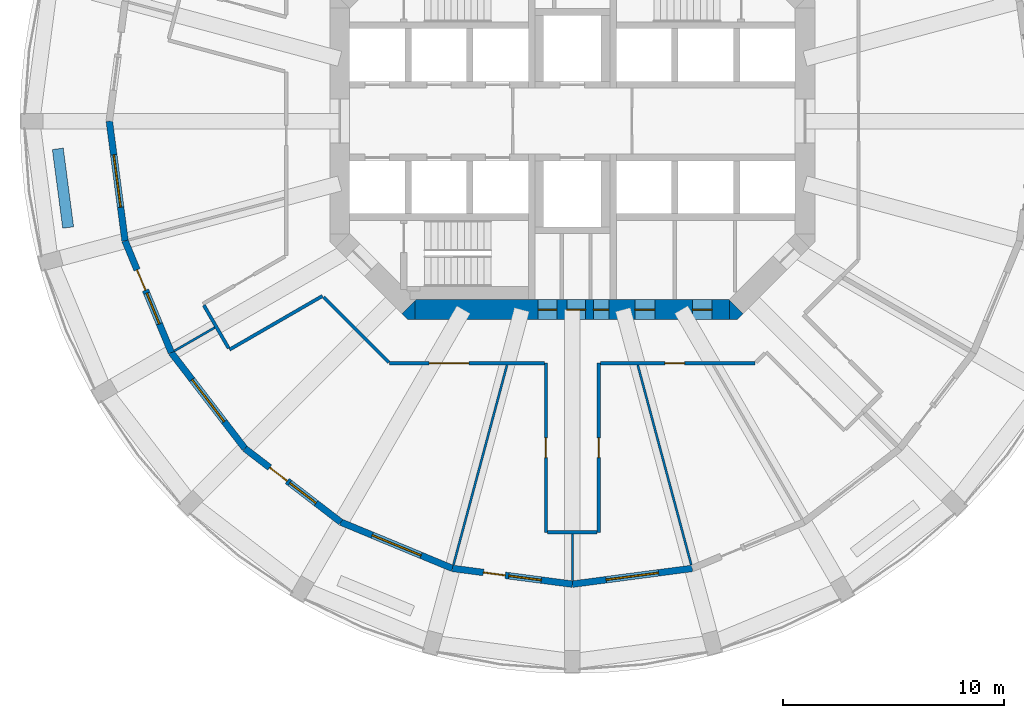
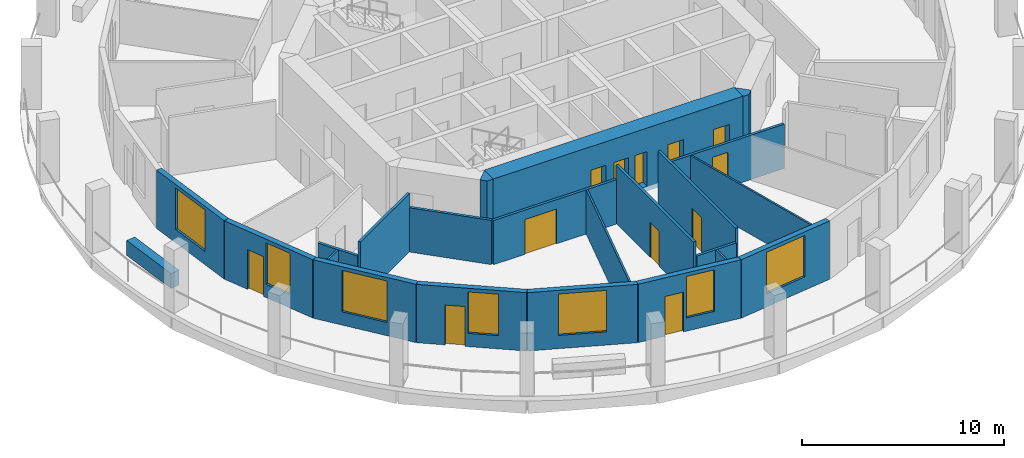
# One storey, part 2 of 8: 23 walls, 12 doors, 7 windows, 19 openings.
"""IFC4 building model written with IfcOpenShell, lengths in metres."""

from ifc_helpers import new_model, si_unit, direction, frame, frame_2d, origin, place, context, subcontext, project, spatial, polyline, rectangle, outline, extrude, material, layer, layer_set, type_object, element, fill, save


model = new_model("IFC4")

# Units and contexts
model_context = context("Model", 3, precision=1e-05, world=origin(), true_north=direction((0.0, 1.0)))
body_context = subcontext(model_context, "Body", "Model", "MODEL_VIEW")
ifc_project = project(units=[si_unit("LENGTHUNIT", "METRE"), si_unit("AREAUNIT", "SQUARE_METRE"), si_unit("VOLUMEUNIT", "CUBIC_METRE"), si_unit("PLANEANGLEUNIT", "RADIAN"), si_unit("MASSUNIT", "GRAM", prefix="KILO")], contexts=[model_context])

# Site, building, storey
site_placement = place(None, origin())
site = spatial("IfcSite", under=ifc_project, at=site_placement, CompositionType="ELEMENT")
building_placement = place(site_placement, origin())
building = spatial("IfcBuilding", under=site, at=building_placement, Name="Torre Triforio", CompositionType="ELEMENT")
storey_placement = place(building_placement, frame((0.0, 0.0, 123.800048828125)))
storey = spatial("IfcBuildingStorey", under=building, at=storey_placement, Name="L27", CompositionType="ELEMENT", Elevation=123.800048828125)

# Wall, openings, doors
ifc_material_1 = material(Name="Concrete C60", Category="concrete")
ifc_layer_1 = layer(ifc_material_1, 0.89990234375)
ifc_layer_set_1 = layer_set([ifc_layer_1], Name="Concrete C60")
wall_type_1 = type_object("IfcWallType", Name="Core wall 900 mm C60 EI 120", PredefinedType="SHEAR", material=ifc_layer_set_1)
wall_1_placement = place(storey_placement, frame((-7.1298828125, -8.550048828125, -0.280029296875), z_axis=(0.0, 0.0, 1.0), x_axis=(1.0, 0.0, 0.0)))
wall_1 = element("IfcWall", 1, at=wall_1_placement, inside=storey, type_object=wall_type_1, Name="Core wall", PredefinedType="SHEAR", context=body_context, shape_type="SweptSolid", body=[
    extrude(rectangle(XDim=14.259765625, YDim=0.89990234375, at=frame_2d((7.1298828125, 0.0))), origin(), (0.0, 0.0, 1.0), 3.800048828125),
])
opening_1_placement = place(wall_1_placement, frame((8.080078125, 0.0, 0.280029296875)))
opening_1 = element("IfcOpeningElement", 2, at=opening_1_placement, cuts=wall_1, Name="Opening RISER-S", PredefinedType="OPENING", context=body_context, shape_type="SweptSolid", body=[
    extrude(rectangle(XDim=0.699951171875, YDim=2.10009765625, at=frame_2d((0.35009765625, 1.050048828125))), frame((0.0, 0.4599609375, 0.0), z_axis=(0.0, -1.0, 0.0), x_axis=(1.0, 0.0, 0.0)), (0.0, 0.0, 1.0), 0.919921875),
])
opening_2_placement = place(wall_1_placement, frame((5.580078125, 0.0, 0.280029296875)))
opening_2 = element("IfcOpeningElement", 3, at=opening_2_placement, cuts=wall_1, Name="Opening SW-01A", PredefinedType="OPENING", context=body_context, shape_type="SweptSolid", body=[
    extrude(rectangle(XDim=0.85009765625, YDim=2.10009765625, at=frame_2d((0.425048828125, 1.050048828125))), frame((0.0, 0.4599609375, 0.0), z_axis=(0.0, -1.0, 0.0), x_axis=(1.0, 0.0, 0.0)), (0.0, 0.0, 1.0), 0.919921875),
])
opening_3_placement = place(wall_1_placement, frame((6.8798828125, 0.0, 0.280029296875)))
opening_3 = element("IfcOpeningElement", 4, at=opening_3_placement, cuts=wall_1, Name="Opening SW-02", PredefinedType="OPENING", context=body_context, shape_type="SweptSolid", body=[
    extrude(rectangle(XDim=0.85009765625, YDim=2.10009765625, at=frame_2d((0.425048828125, 1.050048828125))), frame((0.0, 0.4599609375, 0.0), z_axis=(0.0, -1.0, 0.0), x_axis=(1.0, 0.0, 0.0)), (0.0, 0.0, 1.0), 0.919921875),
])
opening_4_placement = place(wall_1_placement, frame((9.967041015625, 0.0, 0.280029296875)))
opening_4 = element("IfcOpeningElement", 5, at=opening_4_placement, cuts=wall_1, Name="Opening SE-01A", PredefinedType="OPENING", context=body_context, shape_type="SweptSolid", body=[
    extrude(rectangle(XDim=0.89990234375, YDim=2.10009765625, at=frame_2d((0.449951171875, 1.050048828125))), frame((0.0, 0.4599609375, 0.0), z_axis=(0.0, -1.0, 0.0), x_axis=(1.0, 0.0, 0.0)), (0.0, 0.0, 1.0), 0.919921875),
])
opening_5_placement = place(wall_1_placement, frame((12.56689453125, 0.0, 0.280029296875)))
opening_5 = element("IfcOpeningElement", 6, at=opening_5_placement, cuts=wall_1, Name="Opening SE-02", PredefinedType="OPENING", context=body_context, shape_type="SweptSolid", body=[
    extrude(rectangle(XDim=0.89990234375, YDim=2.10009765625, at=frame_2d((0.449951171875, 1.050048828125))), frame((0.0, 0.4599609375, 0.0), z_axis=(0.0, -1.0, 0.0), x_axis=(1.0, 0.0, 0.0)), (0.0, 0.0, 1.0), 0.919921875),
])
ifc_material_2 = material(Name="Hollow metal fire door leaf")
door_type_1 = type_object("IfcDoorType", Name="Riser door 700 x 2100 EI 60", OperationType="NOTDEFINED", PredefinedType="DOOR", material=ifc_material_2)
door_1_placement = place(opening_1_placement, origin())
door_1 = element("IfcDoor", 7, at=door_1_placement, inside=storey, type_object=door_type_1, Name="Core door RISER-S", OperationType="SINGLE_SWING_RIGHT", OverallHeight=2.10009765625, OverallWidth=0.699951171875, PredefinedType="DOOR", context=body_context, shape_type="SweptSolid", body=[
    extrude(rectangle(XDim=0.699951171875, YDim=2.10009765625, at=frame_2d((0.35009765625, 1.050048828125))), frame((0.0, 0.02490234375, 0.0), z_axis=(0.0, -1.0, 0.0), x_axis=(1.0, 0.0, 0.0)), (0.0, 0.0, 1.0), 0.050048828125),
])
fill(opening_1, door_1)
door_type_2 = type_object("IfcDoorType", Name="Room door 850 x 2100 EI 60", OperationType="NOTDEFINED", PredefinedType="DOOR", material=ifc_material_2)
door_2_placement = place(opening_2_placement, origin())
door_2 = element("IfcDoor", 8, at=door_2_placement, inside=storey, type_object=door_type_2, Name="Core door SW-01", OperationType="SINGLE_SWING_RIGHT", OverallHeight=2.10009765625, OverallWidth=0.85009765625, PredefinedType="DOOR", context=body_context, shape_type="SweptSolid", body=[
    extrude(rectangle(XDim=0.85009765625, YDim=2.10009765625, at=frame_2d((0.425048828125, 1.050048828125))), frame((0.0, 0.02490234375, 0.0), z_axis=(0.0, -1.0, 0.0), x_axis=(1.0, 0.0, 0.0)), (0.0, 0.0, 1.0), 0.050048828125),
])
fill(opening_2, door_2)
door_3_placement = place(opening_3_placement, origin())
door_3 = element("IfcDoor", 9, at=door_3_placement, inside=storey, type_object=door_type_2, Name="Core door SW-02", OperationType="SINGLE_SWING_LEFT", OverallHeight=2.10009765625, OverallWidth=0.85009765625, PredefinedType="DOOR", context=body_context, shape_type="SweptSolid", body=[
    extrude(rectangle(XDim=0.85009765625, YDim=2.10009765625, at=frame_2d((0.425048828125, 1.050048828125))), frame((0.0, 0.02490234375, 0.0), z_axis=(0.0, -1.0, 0.0), x_axis=(1.0, 0.0, 0.0)), (0.0, 0.0, 1.0), 0.050048828125),
])
fill(opening_3, door_3)
door_type_3 = type_object("IfcDoorType", Name="Room door 900 x 2100 EI 60", OperationType="NOTDEFINED", PredefinedType="DOOR", material=ifc_material_2)
door_4_placement = place(opening_4_placement, origin())
door_4 = element("IfcDoor", 10, at=door_4_placement, inside=storey, type_object=door_type_3, Name="Core door SE-01", OperationType="SINGLE_SWING_LEFT", OverallHeight=2.10009765625, OverallWidth=0.89990234375, PredefinedType="DOOR", context=body_context, shape_type="SweptSolid", body=[
    extrude(rectangle(XDim=0.89990234375, YDim=2.10009765625, at=frame_2d((0.449951171875, 1.050048828125))), frame((0.0, 0.02490234375, 0.0), z_axis=(0.0, -1.0, 0.0), x_axis=(1.0, 0.0, 0.0)), (0.0, 0.0, 1.0), 0.050048828125),
])
fill(opening_4, door_4)
door_5_placement = place(opening_5_placement, origin())
door_5 = element("IfcDoor", 11, at=door_5_placement, inside=storey, type_object=door_type_3, Name="Core door SE-02", OperationType="SINGLE_SWING_LEFT", OverallHeight=2.10009765625, OverallWidth=0.89990234375, PredefinedType="DOOR", context=body_context, shape_type="SweptSolid", body=[
    extrude(rectangle(XDim=0.89990234375, YDim=2.10009765625, at=frame_2d((0.449951171875, 1.050048828125))), frame((0.0, 0.02490234375, 0.0), z_axis=(0.0, -1.0, 0.0), x_axis=(1.0, 0.0, 0.0)), (0.0, 0.0, 1.0), 0.050048828125),
])
fill(opening_5, door_5)

# Walls
wall_2_placement = place(storey_placement, frame((0.0, 0.0, -0.280029296875)))
element("IfcWall", 12, at=wall_2_placement, inside=storey, type_object=wall_type_1, Name="Core wall", PredefinedType="SHEAR", context=body_context, shape_type="SweptSolid", body=[
    extrude(outline(polyline([(-7.472900390625, -9.0), (-7.736328125, -8.736328125), (-7.1298828125, -8.1298828125), (-7.1298828125, -9.0), (-7.472900390625, -9.0)])), origin(), (0.0, 0.0, 1.0), 3.800048828125),
])
wall_3_placement = place(storey_placement, frame((0.0, 0.0, -0.280029296875)))
element("IfcWall", 13, at=wall_3_placement, inside=storey, type_object=wall_type_1, Name="Core wall", PredefinedType="SHEAR", context=body_context, shape_type="SweptSolid", body=[
    extrude(outline(polyline([(7.472900390625, -9.0), (7.1298828125, -9.0), (7.1298828125, -8.1298828125), (7.736328125, -8.736328125), (7.472900390625, -9.0)])), origin(), (0.0, 0.0, 1.0), 3.800048828125),
])
ifc_material_3 = material(Name="Plasterboard on metal studs")
ifc_layer_2 = layer(ifc_material_3, 0.14990234375)
ifc_layer_set_2 = layer_set([ifc_layer_2], Name="Plasterboard on metal studs")
wall_type_2 = type_object("IfcWallType", Name="Corridor and tenancy wall 150 mm EI 60", PredefinedType="PARTITIONING", material=ifc_layer_set_2)
wall_4_placement = place(storey_placement, frame((-15.587890625, -10.298583984375, 0.0), z_axis=(0.0, 0.0, 1.0), x_axis=(-0.500013631625, 0.866017533419, 0.0)))
element("IfcWall", 14, at=wall_4_placement, inside=storey, type_object=wall_type_2, Name="Partition 1", PredefinedType="PARTITIONING", context=body_context, shape_type="SweptSolid", body=[
    extrude(rectangle(XDim=2.25, YDim=0.14990234375, at=frame_2d((1.125, 0.0))), origin(), (0.0, 0.0, 1.0), 2.669921875),
])

# Wall, opening, door
wall_5_placement = place(storey_placement, frame((8.291015625, -10.97509765625, 0.0), z_axis=(0.0, 0.0, 1.0), x_axis=(-1.0, 0.0, 0.0)))
wall_5 = element("IfcWall", 15, at=wall_5_placement, inside=storey, type_object=wall_type_2, Name="Partition 23", PredefinedType="PARTITIONING", context=body_context, shape_type="SweptSolid", body=[
    extrude(rectangle(XDim=7.01611328125, YDim=0.14990234375, at=frame_2d((3.508056640625, 0.0))), origin(), (0.0, 0.0, 1.0), 2.669921875),
])
opening_6_placement = place(wall_5_placement, frame((3.198486328125, 0.0, 0.0)))
opening_6 = element("IfcOpeningElement", 16, at=opening_6_placement, cuts=wall_5, Name="Opening D1-09", PredefinedType="OPENING", context=body_context, shape_type="SweptSolid", body=[
    extrude(rectangle(XDim=0.89990234375, YDim=2.10009765625, at=frame_2d((0.449951171875, 1.050048828125))), frame((0.0, 0.0849609375, 0.0), z_axis=(0.0, -1.0, 0.0), x_axis=(1.0, 0.0, 0.0)), (0.0, 0.0, 1.0), 0.169921875),
])
ifc_material_4 = material(Name="Timber", Category="wood")
door_type_4 = type_object("IfcDoorType", Name="Door 900 x 2100 single leaf EI 30", OperationType="NOTDEFINED", PredefinedType="DOOR", material=ifc_material_4)
door_6_placement = place(opening_6_placement, origin())
door_6 = element("IfcDoor", 17, at=door_6_placement, inside=storey, type_object=door_type_4, Name="Door D1-09", OperationType="SINGLE_SWING_LEFT", OverallHeight=2.10009765625, OverallWidth=0.89990234375, PredefinedType="DOOR", context=body_context, shape_type="SweptSolid", body=[
    extrude(rectangle(XDim=0.89990234375, YDim=2.10009765625, at=frame_2d((0.449951171875, 1.050048828125))), frame((0.0, 0.02490234375, 0.0), z_axis=(0.0, -1.0, 0.0), x_axis=(1.0, 0.0, 0.0)), (0.0, 0.0, 1.0), 0.050048828125),
])
fill(opening_6, door_6)

wall_6_placement = place(storey_placement, frame((1.199951171875, -10.97509765625, 0.0), z_axis=(0.0, 0.0, 1.0), x_axis=(0.0, -1.0, 0.0)))
wall_6 = element("IfcWall", 18, at=wall_6_placement, inside=storey, type_object=wall_type_2, Name="Partition 24", PredefinedType="PARTITIONING", context=body_context, shape_type="SweptSolid", body=[
    extrude(rectangle(XDim=7.673583984375, YDim=0.14990234375, at=frame_2d((3.8369140625, 0.0))), origin(), (0.0, 0.0, 1.0), 3.52001953125),
])
opening_7_placement = place(wall_6_placement, frame((3.386962890625, 0.0, 0.0)))
opening_7 = element("IfcOpeningElement", 19, at=opening_7_placement, cuts=wall_6, Name="Opening D1-08", PredefinedType="OPENING", context=body_context, shape_type="SweptSolid", body=[
    extrude(rectangle(XDim=0.89990234375, YDim=2.10009765625, at=frame_2d((0.449951171875, 1.050048828125))), frame((0.0, 0.0849609375, 0.0), z_axis=(0.0, -1.0, 0.0), x_axis=(1.0, 0.0, 0.0)), (0.0, 0.0, 1.0), 0.169921875),
])
door_7_placement = place(opening_7_placement, origin())
door_7 = element("IfcDoor", 20, at=door_7_placement, inside=storey, type_object=door_type_4, Name="Door D1-08", OperationType="SINGLE_SWING_RIGHT", OverallHeight=2.10009765625, OverallWidth=0.89990234375, PredefinedType="DOOR", context=body_context, shape_type="SweptSolid", body=[
    extrude(rectangle(XDim=0.89990234375, YDim=2.10009765625, at=frame_2d((0.449951171875, 1.050048828125))), frame((0.0, 0.02490234375, 0.0), z_axis=(0.0, -1.0, 0.0), x_axis=(1.0, 0.0, 0.0)), (0.0, 0.0, 1.0), 0.050048828125),
])
fill(opening_7, door_7)

# Wall
wall_7_placement = place(storey_placement, frame((1.125, -18.648681640625, 0.0), z_axis=(0.0, 0.0, 1.0), x_axis=(-1.0, 0.0, 0.0)))
element("IfcWall", 21, at=wall_7_placement, inside=storey, type_object=wall_type_2, Name="Partition 25", PredefinedType="PARTITIONING", context=body_context, shape_type="SweptSolid", body=[
    extrude(rectangle(XDim=2.25, YDim=0.14990234375, at=frame_2d((1.125, 0.0))), origin(), (0.0, 0.0, 1.0), 2.669921875),
])

# Wall, opening, door
wall_8_placement = place(storey_placement, frame((-1.199951171875, -18.648681640625, 0.0), z_axis=(0.0, 0.0, 1.0), x_axis=(0.0, 1.0, 0.0)))
wall_8 = element("IfcWall", 22, at=wall_8_placement, inside=storey, type_object=wall_type_2, Name="Partition 26", PredefinedType="PARTITIONING", context=body_context, shape_type="SweptSolid", body=[
    extrude(rectangle(XDim=7.673583984375, YDim=0.14990234375, at=frame_2d((3.8369140625, 0.0))), origin(), (0.0, 0.0, 1.0), 3.52001953125),
])
opening_8_placement = place(wall_8_placement, frame((3.386962890625, 0.0, 0.0)))
opening_8 = element("IfcOpeningElement", 23, at=opening_8_placement, cuts=wall_8, Name="Opening D1-07", PredefinedType="OPENING", context=body_context, shape_type="SweptSolid", body=[
    extrude(rectangle(XDim=0.89990234375, YDim=2.10009765625, at=frame_2d((0.449951171875, 1.050048828125))), frame((0.0, 0.0849609375, 0.0), z_axis=(0.0, -1.0, 0.0), x_axis=(1.0, 0.0, 0.0)), (0.0, 0.0, 1.0), 0.169921875),
])
door_8_placement = place(opening_8_placement, origin())
door_8 = element("IfcDoor", 24, at=door_8_placement, inside=storey, type_object=door_type_4, Name="Door D1-07", OperationType="SINGLE_SWING_RIGHT", OverallHeight=2.10009765625, OverallWidth=0.89990234375, PredefinedType="DOOR", context=body_context, shape_type="SweptSolid", body=[
    extrude(rectangle(XDim=0.89990234375, YDim=2.10009765625, at=frame_2d((0.449951171875, 1.050048828125))), frame((0.0, 0.02490234375, 0.0), z_axis=(0.0, -1.0, 0.0), x_axis=(1.0, 0.0, 0.0)), (0.0, 0.0, 1.0), 0.050048828125),
])
fill(opening_8, door_8)

wall_9_placement = place(storey_placement, frame((-1.27490234375, -10.97509765625, 0.0), z_axis=(0.0, 0.0, 1.0), x_axis=(-1.0, 0.0, 0.0)))
wall_9 = element("IfcWall", 25, at=wall_9_placement, inside=storey, type_object=wall_type_2, Name="Partition 27", PredefinedType="PARTITIONING", context=body_context, shape_type="SweptSolid", body=[
    extrude(rectangle(XDim=7.01611328125, YDim=0.14990234375, at=frame_2d((3.508056640625, 0.0))), origin(), (0.0, 0.0, 1.0), 2.669921875),
])
opening_9_placement = place(wall_9_placement, frame((3.415771484375, 0.0, 0.0)))
opening_9 = element("IfcOpeningElement", 26, at=opening_9_placement, cuts=wall_9, Name="Opening D1-06", PredefinedType="OPENING", context=body_context, shape_type="SweptSolid", body=[
    extrude(rectangle(XDim=1.800048828125, YDim=2.10009765625, at=frame_2d((0.89990234375, 1.050048828125))), frame((0.0, 0.0849609375, 0.0), z_axis=(0.0, -1.0, 0.0), x_axis=(1.0, 0.0, 0.0)), (0.0, 0.0, 1.0), 0.169921875),
])
door_type_5 = type_object("IfcDoorType", Name="Door 1800 x 2100 double leaf EI 30", OperationType="DOUBLE_DOOR_SINGLE_SWING", PredefinedType="DOOR", material=ifc_material_4)
door_9_placement = place(opening_9_placement, origin())
door_9 = element("IfcDoor", 27, at=door_9_placement, inside=storey, type_object=door_type_5, Name="Door D1-06", OperationType="DOUBLE_DOOR_SINGLE_SWING", OverallHeight=2.10009765625, OverallWidth=1.800048828125, PredefinedType="DOOR", context=body_context, shape_type="SweptSolid", body=[
    extrude(rectangle(XDim=1.800048828125, YDim=2.10009765625, at=frame_2d((0.89990234375, 1.050048828125))), frame((0.0, 0.02490234375, 0.0), z_axis=(0.0, -1.0, 0.0), x_axis=(1.0, 0.0, 0.0)), (0.0, 0.0, 1.0), 0.050048828125),
])
fill(opening_9, door_9)

# Walls
wall_10_placement = place(storey_placement, frame((-8.327880859375, -10.93798828125, 0.0), z_axis=(0.0, 0.0, 1.0), x_axis=(-0.707077584218, 0.707135976949, 0.0)))
element("IfcWall", 28, at=wall_10_placement, inside=storey, type_object=wall_type_2, Name="Partition 28", PredefinedType="PARTITIONING", context=body_context, shape_type="SweptSolid", body=[
    extrude(rectangle(XDim=4.180908203125, YDim=0.14990234375, at=frame_2d((2.09033203125, 0.0))), origin(), (0.0, 0.0, 1.0), 2.669921875),
])
wall_11_placement = place(storey_placement, frame((-11.335693359375, -7.930419921875, 0.0), z_axis=(0.0, 0.0, 1.0), x_axis=(-0.866042731792, -0.49996998581, 0.0)))
element("IfcWall", 29, at=wall_11_placement, inside=storey, type_object=wall_type_2, Name="Partition 29", PredefinedType="PARTITIONING", context=body_context, shape_type="SweptSolid", body=[
    extrude(rectangle(XDim=4.866455078125, YDim=0.14990234375, at=frame_2d((2.43310546875, 0.0))), origin(), (0.0, 0.0, 1.0), 3.52001953125),
])
ifc_layer_3 = layer(ifc_material_3, 0.10009765625)
ifc_layer_set_3 = layer_set([ifc_layer_3], Name="Plasterboard on metal studs")
wall_type_3 = type_object("IfcWallType", Name="Partition 100 mm board on metal studs", PredefinedType="PARTITIONING", material=ifc_layer_set_3)
wall_12_placement = place(storey_placement, frame((-16.215087890625, -9.36181640625, 0.0), z_axis=(0.0, 0.0, 1.0), x_axis=(-0.866016279763, -0.500015802937, 0.0)))
element("IfcWall", 30, at=wall_12_placement, inside=storey, type_object=wall_type_3, Name="Partition 37", PredefinedType="PARTITIONING", context=body_context, shape_type="SweptSolid", body=[
    extrude(rectangle(XDim=2.11328125, YDim=0.10009765625, at=frame_2d((1.056640625, 0.0))), origin(), (0.0, 0.0, 1.0), 2.669921875),
])
wall_13_placement = place(storey_placement, frame((-2.964599609375, -11.064208984375, 0.0), z_axis=(0.0, 0.0, 1.0), x_axis=(-0.258812392192, -0.965927608906, 0.0)))
element("IfcWall", 31, at=wall_13_placement, inside=storey, type_object=wall_type_3, Name="Partition 38", PredefinedType="PARTITIONING", context=body_context, shape_type="SweptSolid", body=[
    extrude(rectangle(XDim=9.382080078125, YDim=0.10009765625, at=frame_2d((4.69091796875, 0.0))), origin(), (0.0, 0.0, 1.0), 2.669921875),
])
wall_14_placement = place(storey_placement, frame((0.0, -18.7236328125, 0.0), z_axis=(0.0, 0.0, 1.0), x_axis=(0.0, -1.0, 0.0)))
element("IfcWall", 32, at=wall_14_placement, inside=storey, type_object=wall_type_3, Name="Partition 39", PredefinedType="PARTITIONING", context=body_context, shape_type="SweptSolid", body=[
    extrude(rectangle(XDim=2.113037109375, YDim=0.10009765625, at=frame_2d((1.056640625, 0.0))), origin(), (0.0, 0.0, 1.0), 2.669921875),
])
wall_15_placement = place(storey_placement, frame((2.964599609375, -11.064208984375, 0.0), z_axis=(0.0, 0.0, 1.0), x_axis=(0.258812392192, -0.965927608906, 0.0)))
element("IfcWall", 33, at=wall_15_placement, inside=storey, type_object=wall_type_3, Name="Partition 40", PredefinedType="PARTITIONING", context=body_context, shape_type="SweptSolid", body=[
    extrude(rectangle(XDim=9.382080078125, YDim=0.10009765625, at=frame_2d((4.69091796875, 0.0))), origin(), (0.0, 0.0, 1.0), 2.669921875),
])
ifc_material_5 = material(Name="Limestone cladding", Category="masonry")
ifc_layer_4 = layer(ifc_material_5, 0.10009765625)
ifc_material_6 = material(Name="Concrete C40", Category="concrete")
ifc_layer_5 = layer(ifc_material_6, 0.39990234375)
ifc_layer_set_4 = layer_set([ifc_layer_4, ifc_layer_5], Name="Limestone cladding / Concrete C40")
wall_type_4 = type_object("IfcWallType", Name="Planter wall 500", PredefinedType="PARAPET", material=ifc_layer_set_4)
wall_16_placement = place(storey_placement, frame((-23.335693359375, -1.256591796875, 0.0), z_axis=(0.0, 0.0, 1.0), x_axis=(0.130542222659, -0.991442750795, 0.0)))
element("IfcWall", 34, at=wall_16_placement, inside=storey, type_object=wall_type_4, Name="Planter L27 bay 13", PredefinedType="PARAPET", context=body_context, shape_type="SweptSolid", body=[
    extrude(rectangle(XDim=3.60009765625, YDim=0.5, at=frame_2d((1.800048828125, 0.0))), origin(), (0.0, 0.0, 1.0), 0.89990234375),
])

# Wall, opening, window
ifc_layer_6 = layer(ifc_material_5, 0.10009765625)
ifc_layer_7 = layer(ifc_material_6, 0.199951171875)
ifc_layer_set_5 = layer_set([ifc_layer_6, ifc_layer_7], Name="Limestone cladding / Concrete C40")
wall_type_5 = type_object("IfcWallType", Name="Stone-faced composite wall 300", PredefinedType="STANDARD", material=ifc_layer_set_5)
wall_17_placement = place(storey_placement, frame((-21.0, 0.0, 0.0), z_axis=(0.0, 0.0, 1.0), x_axis=(0.130527087244, -0.991444743541, 0.0)))
wall_17 = element("IfcWall", 35, at=wall_17_placement, inside=storey, type_object=wall_type_5, Name="External wall L27 bay 13", PredefinedType="STANDARD", context=body_context, shape_type="SweptSolid", body=[
    extrude(rectangle(XDim=5.482177734375, YDim=0.300048828125, at=frame_2d((2.7412109375, 0.0))), origin(), (0.0, 0.0, 1.0), 3.52001953125),
])
opening_10_placement = place(wall_17_placement, frame((1.541015625, 0.0, 0.800048828125)))
opening_10 = element("IfcOpeningElement", 36, at=opening_10_placement, cuts=wall_17, Name="Opening D1-W13", PredefinedType="OPENING", context=body_context, shape_type="SweptSolid", body=[
    extrude(rectangle(XDim=2.39990234375, YDim=2.5, at=frame_2d((1.199951171875, 1.25))), frame((0.0, 0.159912109375, 0.0), z_axis=(0.0, -1.0, 0.0), x_axis=(1.0, 0.0, 0.0)), (0.0, 0.0, 1.0), 0.320068359375),
])
ifc_material_7 = material(Name="Aluminium frame with clear double glazing", Category="aluminium")
window_type_1 = type_object("IfcWindowType", Name="Punched window 2400 x 2500", PartitioningType="DOUBLE_PANEL_VERTICAL", PredefinedType="WINDOW", material=ifc_material_7)
window_1_placement = place(opening_10_placement, origin())
window_1 = element("IfcWindow", 37, at=window_1_placement, inside=storey, type_object=window_type_1, Name="Window EWN3 L27 bay 13", OverallHeight=2.5, OverallWidth=2.39990234375, PartitioningType="SINGLE_PANEL", PredefinedType="WINDOW", context=body_context, shape_type="SweptSolid", body=[
    extrude(rectangle(XDim=2.39990234375, YDim=2.5, at=frame_2d((1.199951171875, 1.25))), frame((0.0, 0.030029296875, 0.0), z_axis=(0.0, -1.0, 0.0), x_axis=(1.0, 0.0, 0.0)), (0.0, 0.0, 1.0), 0.06005859375),
])
fill(opening_10, window_1)

# Wall, openings, door, window
wall_18_placement = place(storey_placement, frame((-20.284423828125, -5.435302734375, 0.0), z_axis=(0.0, 0.0, 1.0), x_axis=(0.382688740813, -0.923877333662, 0.0)))
wall_18 = element("IfcWall", 38, at=wall_18_placement, inside=storey, type_object=wall_type_5, Name="External wall L27 bay 14", PredefinedType="STANDARD", context=body_context, shape_type="SweptSolid", body=[
    extrude(rectangle(XDim=5.48193359375, YDim=0.300048828125, at=frame_2d((2.740966796875, 0.0))), origin(), (0.0, 0.0, 1.0), 3.52001953125),
])
opening_11_placement = place(wall_18_placement, frame((1.416015625, 0.0, 0.0)))
opening_11 = element("IfcOpeningElement", 39, at=opening_11_placement, cuts=wall_18, Name="Opening D1-D14", PredefinedType="OPENING", context=body_context, shape_type="SweptSolid", body=[
    extrude(rectangle(XDim=1.0, YDim=2.39990234375, at=frame_2d((0.5, 1.199951171875))), frame((0.0, 0.159912109375, 0.0), z_axis=(0.0, -1.0, 0.0), x_axis=(1.0, 0.0, 0.0)), (0.0, 0.0, 1.0), 0.320068359375),
])
opening_12_placement = place(wall_18_placement, frame((2.566162109375, 0.0, 0.800048828125)))
opening_12 = element("IfcOpeningElement", 40, at=opening_12_placement, cuts=wall_18, Name="Opening D1-W14A", PredefinedType="OPENING", context=body_context, shape_type="SweptSolid", body=[
    extrude(rectangle(XDim=1.5, YDim=2.5, at=frame_2d((0.75, 1.25))), frame((0.0, 0.159912109375, 0.0), z_axis=(0.0, -1.0, 0.0), x_axis=(1.0, 0.0, 0.0)), (0.0, 0.0, 1.0), 0.320068359375),
])
door_type_6 = type_object("IfcDoorType", Name="Loggia door 1000 x 2400", OperationType="NOTDEFINED", PredefinedType="DOOR", material=ifc_material_7)
door_10_placement = place(opening_11_placement, origin())
door_10 = element("IfcDoor", 41, at=door_10_placement, inside=storey, type_object=door_type_6, Name="Loggia door L27 bay 14", OperationType="SINGLE_SWING_LEFT", OverallHeight=2.39990234375, OverallWidth=1.0, PredefinedType="DOOR", context=body_context, shape_type="SweptSolid", body=[
    extrude(rectangle(XDim=1.0, YDim=2.39990234375, at=frame_2d((0.5, 1.199951171875))), frame((0.0, 0.02490234375, 0.0), z_axis=(0.0, -1.0, 0.0), x_axis=(1.0, 0.0, 0.0)), (0.0, 0.0, 1.0), 0.050048828125),
])
fill(opening_11, door_10)
window_type_2 = type_object("IfcWindowType", Name="Side window 1500 x 2500", PartitioningType="SINGLE_PANEL", PredefinedType="WINDOW", material=ifc_material_7)
window_2_placement = place(opening_12_placement, origin())
window_2 = element("IfcWindow", 42, at=window_2_placement, inside=storey, type_object=window_type_2, Name="Side window EWN13 L27 bay 14", OverallHeight=2.5, OverallWidth=1.5, PartitioningType="SINGLE_PANEL", PredefinedType="WINDOW", context=body_context, shape_type="SweptSolid", body=[
    extrude(rectangle(XDim=1.5, YDim=2.5, at=frame_2d((0.75, 1.25))), frame((0.0, 0.030029296875, 0.0), z_axis=(0.0, -1.0, 0.0), x_axis=(1.0, 0.0, 0.0)), (0.0, 0.0, 1.0), 0.06005859375),
])
fill(opening_12, window_2)

# Wall, opening, window
wall_19_placement = place(storey_placement, frame((-18.1865234375, -10.5, 0.0), z_axis=(0.0, 0.0, 1.0), x_axis=(0.608784891166, -0.793335336593, 0.0)))
wall_19 = element("IfcWall", 43, at=wall_19_placement, inside=storey, type_object=wall_type_5, Name="External wall L27 bay 15", PredefinedType="STANDARD", context=body_context, shape_type="SweptSolid", body=[
    extrude(rectangle(XDim=5.482177734375, YDim=0.300048828125, at=frame_2d((2.7412109375, 0.0))), origin(), (0.0, 0.0, 1.0), 3.52001953125),
])
opening_13_placement = place(wall_19_placement, frame((1.541015625, 0.0, 0.800048828125)))
opening_13 = element("IfcOpeningElement", 44, at=opening_13_placement, cuts=wall_19, Name="Opening D1-W15", PredefinedType="OPENING", context=body_context, shape_type="SweptSolid", body=[
    extrude(rectangle(XDim=2.39990234375, YDim=2.5, at=frame_2d((1.199951171875, 1.25))), frame((0.0, 0.159912109375, 0.0), z_axis=(0.0, -1.0, 0.0), x_axis=(1.0, 0.0, 0.0)), (0.0, 0.0, 1.0), 0.320068359375),
])
window_3_placement = place(opening_13_placement, origin())
window_3 = element("IfcWindow", 45, at=window_3_placement, inside=storey, type_object=window_type_1, Name="Window EWN3 L27 bay 15", OverallHeight=2.5, OverallWidth=2.39990234375, PartitioningType="SINGLE_PANEL", PredefinedType="WINDOW", context=body_context, shape_type="SweptSolid", body=[
    extrude(rectangle(XDim=2.39990234375, YDim=2.5, at=frame_2d((1.199951171875, 1.25))), frame((0.0, 0.030029296875, 0.0), z_axis=(0.0, -1.0, 0.0), x_axis=(1.0, 0.0, 0.0)), (0.0, 0.0, 1.0), 0.06005859375),
])
fill(opening_13, window_3)

# Wall, openings, door, window
wall_20_placement = place(storey_placement, frame((-14.84912109375, -14.84912109375, 0.0), z_axis=(0.0, 0.0, 1.0), x_axis=(0.793335336593, -0.608784891166, 0.0)))
wall_20 = element("IfcWall", 46, at=wall_20_placement, inside=storey, type_object=wall_type_5, Name="External wall L27 bay 16", PredefinedType="STANDARD", context=body_context, shape_type="SweptSolid", body=[
    extrude(rectangle(XDim=5.482177734375, YDim=0.300048828125, at=frame_2d((2.7412109375, 0.0))), origin(), (0.0, 0.0, 1.0), 3.52001953125),
])
opening_14_placement = place(wall_20_placement, frame((1.416015625, 0.0, 0.0)))
opening_14 = element("IfcOpeningElement", 47, at=opening_14_placement, cuts=wall_20, Name="Opening D1-D16", PredefinedType="OPENING", context=body_context, shape_type="SweptSolid", body=[
    extrude(rectangle(XDim=1.0, YDim=2.39990234375, at=frame_2d((0.5, 1.199951171875))), frame((0.0, 0.159912109375, 0.0), z_axis=(0.0, -1.0, 0.0), x_axis=(1.0, 0.0, 0.0)), (0.0, 0.0, 1.0), 0.320068359375),
])
opening_15_placement = place(wall_20_placement, frame((2.56591796875, 0.0, 0.800048828125)))
opening_15 = element("IfcOpeningElement", 48, at=opening_15_placement, cuts=wall_20, Name="Opening D1-W16A", PredefinedType="OPENING", context=body_context, shape_type="SweptSolid", body=[
    extrude(rectangle(XDim=1.5, YDim=2.5, at=frame_2d((0.75, 1.25))), frame((0.0, 0.159912109375, 0.0), z_axis=(0.0, -1.0, 0.0), x_axis=(1.0, 0.0, 0.0)), (0.0, 0.0, 1.0), 0.320068359375),
])
door_11_placement = place(opening_14_placement, origin())
door_11 = element("IfcDoor", 49, at=door_11_placement, inside=storey, type_object=door_type_6, Name="Loggia door L27 bay 16", OperationType="SINGLE_SWING_LEFT", OverallHeight=2.39990234375, OverallWidth=1.0, PredefinedType="DOOR", context=body_context, shape_type="SweptSolid", body=[
    extrude(rectangle(XDim=1.0, YDim=2.39990234375, at=frame_2d((0.5, 1.199951171875))), frame((0.0, 0.02490234375, 0.0), z_axis=(0.0, -1.0, 0.0), x_axis=(1.0, 0.0, 0.0)), (0.0, 0.0, 1.0), 0.050048828125),
])
fill(opening_14, door_11)
window_4_placement = place(opening_15_placement, origin())
window_4 = element("IfcWindow", 50, at=window_4_placement, inside=storey, type_object=window_type_2, Name="Side window EWN13 L27 bay 16", OverallHeight=2.5, OverallWidth=1.5, PartitioningType="SINGLE_PANEL", PredefinedType="WINDOW", context=body_context, shape_type="SweptSolid", body=[
    extrude(rectangle(XDim=1.5, YDim=2.5, at=frame_2d((0.75, 1.25))), frame((0.0, 0.030029296875, 0.0), z_axis=(0.0, -1.0, 0.0), x_axis=(1.0, 0.0, 0.0)), (0.0, 0.0, 1.0), 0.06005859375),
])
fill(opening_15, window_4)

# Wall, opening, window
wall_21_placement = place(storey_placement, frame((-10.5, -18.1865234375, 0.0), z_axis=(0.0, 0.0, 1.0), x_axis=(0.923877333662, -0.382688740813, 0.0)))
wall_21 = element("IfcWall", 51, at=wall_21_placement, inside=storey, type_object=wall_type_5, Name="External wall L27 bay 17", PredefinedType="STANDARD", context=body_context, shape_type="SweptSolid", body=[
    extrude(rectangle(XDim=5.48193359375, YDim=0.300048828125, at=frame_2d((2.740966796875, 0.0))), origin(), (0.0, 0.0, 1.0), 3.52001953125),
])
opening_16_placement = place(wall_21_placement, frame((1.541015625, 0.0, 0.800048828125)))
opening_16 = element("IfcOpeningElement", 52, at=opening_16_placement, cuts=wall_21, Name="Opening D1-W17", PredefinedType="OPENING", context=body_context, shape_type="SweptSolid", body=[
    extrude(rectangle(XDim=2.39990234375, YDim=2.5, at=frame_2d((1.199951171875, 1.25))), frame((0.0, 0.159912109375, 0.0), z_axis=(0.0, -1.0, 0.0), x_axis=(1.0, 0.0, 0.0)), (0.0, 0.0, 1.0), 0.320068359375),
])
window_5_placement = place(opening_16_placement, origin())
window_5 = element("IfcWindow", 53, at=window_5_placement, inside=storey, type_object=window_type_1, Name="Window EWN3 L27 bay 17", OverallHeight=2.5, OverallWidth=2.39990234375, PartitioningType="SINGLE_PANEL", PredefinedType="WINDOW", context=body_context, shape_type="SweptSolid", body=[
    extrude(rectangle(XDim=2.39990234375, YDim=2.5, at=frame_2d((1.199951171875, 1.25))), frame((0.0, 0.030029296875, 0.0), z_axis=(0.0, -1.0, 0.0), x_axis=(1.0, 0.0, 0.0)), (0.0, 0.0, 1.0), 0.06005859375),
])
fill(opening_16, window_5)

# Wall, openings, door, window
wall_22_placement = place(storey_placement, frame((-5.435302734375, -20.284423828125, 0.0), z_axis=(0.0, 0.0, 1.0), x_axis=(0.991444743541, -0.130527087244, 0.0)))
wall_22 = element("IfcWall", 54, at=wall_22_placement, inside=storey, type_object=wall_type_5, Name="External wall L27 bay 18", PredefinedType="STANDARD", context=body_context, shape_type="SweptSolid", body=[
    extrude(rectangle(XDim=5.482177734375, YDim=0.300048828125, at=frame_2d((2.7412109375, 0.0))), origin(), (0.0, 0.0, 1.0), 3.52001953125),
])
opening_17_placement = place(wall_22_placement, frame((1.416015625, 0.0, 0.0)))
opening_17 = element("IfcOpeningElement", 55, at=opening_17_placement, cuts=wall_22, Name="Opening D1-D18", PredefinedType="OPENING", context=body_context, shape_type="SweptSolid", body=[
    extrude(rectangle(XDim=1.0, YDim=2.39990234375, at=frame_2d((0.5, 1.199951171875))), frame((0.0, 0.159912109375, 0.0), z_axis=(0.0, -1.0, 0.0), x_axis=(1.0, 0.0, 0.0)), (0.0, 0.0, 1.0), 0.320068359375),
])
opening_18_placement = place(wall_22_placement, frame((2.566162109375, 0.0, 0.800048828125)))
opening_18 = element("IfcOpeningElement", 56, at=opening_18_placement, cuts=wall_22, Name="Opening D1-W18A", PredefinedType="OPENING", context=body_context, shape_type="SweptSolid", body=[
    extrude(rectangle(XDim=1.5, YDim=2.5, at=frame_2d((0.75, 1.25))), frame((0.0, 0.159912109375, 0.0), z_axis=(0.0, -1.0, 0.0), x_axis=(1.0, 0.0, 0.0)), (0.0, 0.0, 1.0), 0.320068359375),
])
door_12_placement = place(opening_17_placement, origin())
door_12 = element("IfcDoor", 57, at=door_12_placement, inside=storey, type_object=door_type_6, Name="Loggia door L27 bay 18", OperationType="SINGLE_SWING_LEFT", OverallHeight=2.39990234375, OverallWidth=1.0, PredefinedType="DOOR", context=body_context, shape_type="SweptSolid", body=[
    extrude(rectangle(XDim=1.0, YDim=2.39990234375, at=frame_2d((0.5, 1.199951171875))), frame((0.0, 0.02490234375, 0.0), z_axis=(0.0, -1.0, 0.0), x_axis=(1.0, 0.0, 0.0)), (0.0, 0.0, 1.0), 0.050048828125),
])
fill(opening_17, door_12)
window_6_placement = place(opening_18_placement, origin())
window_6 = element("IfcWindow", 58, at=window_6_placement, inside=storey, type_object=window_type_2, Name="Side window EWN13 L27 bay 18", OverallHeight=2.5, OverallWidth=1.5, PartitioningType="SINGLE_PANEL", PredefinedType="WINDOW", context=body_context, shape_type="SweptSolid", body=[
    extrude(rectangle(XDim=1.5, YDim=2.5, at=frame_2d((0.75, 1.25))), frame((0.0, 0.030029296875, 0.0), z_axis=(0.0, -1.0, 0.0), x_axis=(1.0, 0.0, 0.0)), (0.0, 0.0, 1.0), 0.06005859375),
])
fill(opening_18, window_6)

# Wall, opening, window
wall_23_placement = place(storey_placement, frame((0.0, -21.0, 0.0), z_axis=(0.0, 0.0, 1.0), x_axis=(0.991444743541, 0.130527087244, 0.0)))
wall_23 = element("IfcWall", 59, at=wall_23_placement, inside=storey, type_object=wall_type_5, Name="External wall L27 bay 19", PredefinedType="STANDARD", context=body_context, shape_type="SweptSolid", body=[
    extrude(rectangle(XDim=5.482177734375, YDim=0.300048828125, at=frame_2d((2.7412109375, 0.0))), origin(), (0.0, 0.0, 1.0), 3.52001953125),
])
opening_19_placement = place(wall_23_placement, frame((1.541015625, 0.0, 0.800048828125)))
opening_19 = element("IfcOpeningElement", 60, at=opening_19_placement, cuts=wall_23, Name="Opening D1-W19", PredefinedType="OPENING", context=body_context, shape_type="SweptSolid", body=[
    extrude(rectangle(XDim=2.39990234375, YDim=2.5, at=frame_2d((1.199951171875, 1.25))), frame((0.0, 0.159912109375, 0.0), z_axis=(0.0, -1.0, 0.0), x_axis=(1.0, 0.0, 0.0)), (0.0, 0.0, 1.0), 0.320068359375),
])
window_7_placement = place(opening_19_placement, origin())
window_7 = element("IfcWindow", 61, at=window_7_placement, inside=storey, type_object=window_type_1, Name="Window EWN3 L27 bay 19", OverallHeight=2.5, OverallWidth=2.39990234375, PartitioningType="SINGLE_PANEL", PredefinedType="WINDOW", context=body_context, shape_type="SweptSolid", body=[
    extrude(rectangle(XDim=2.39990234375, YDim=2.5, at=frame_2d((1.199951171875, 1.25))), frame((0.0, 0.030029296875, 0.0), z_axis=(0.0, -1.0, 0.0), x_axis=(1.0, 0.0, 0.0)), (0.0, 0.0, 1.0), 0.06005859375),
])
fill(opening_19, window_7)

save(model, "model.ifc")
